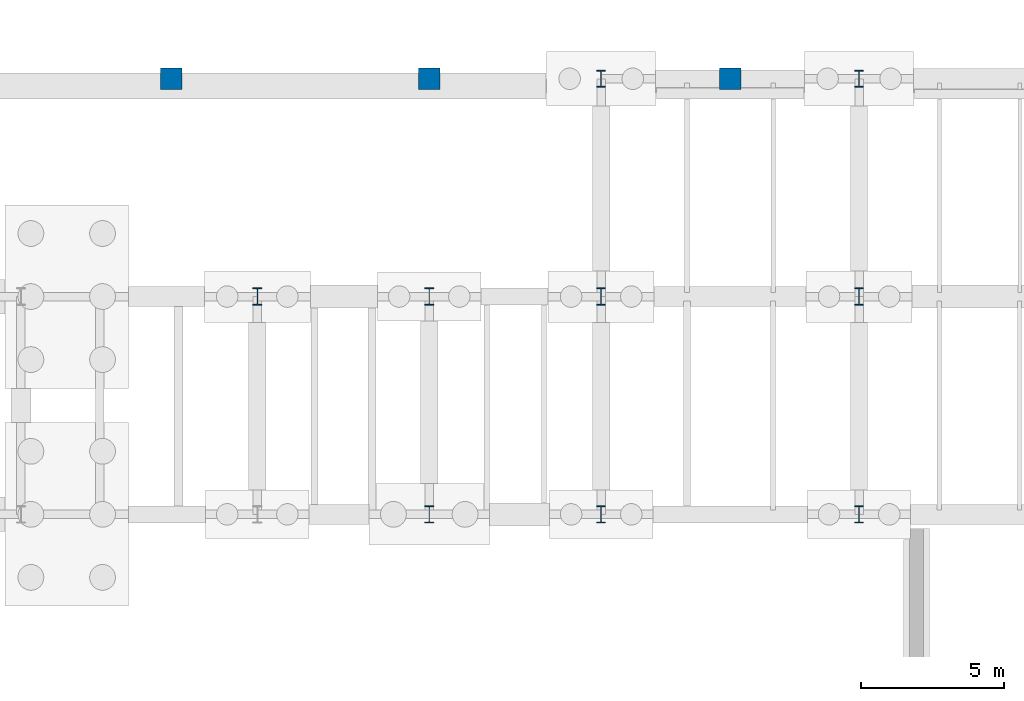
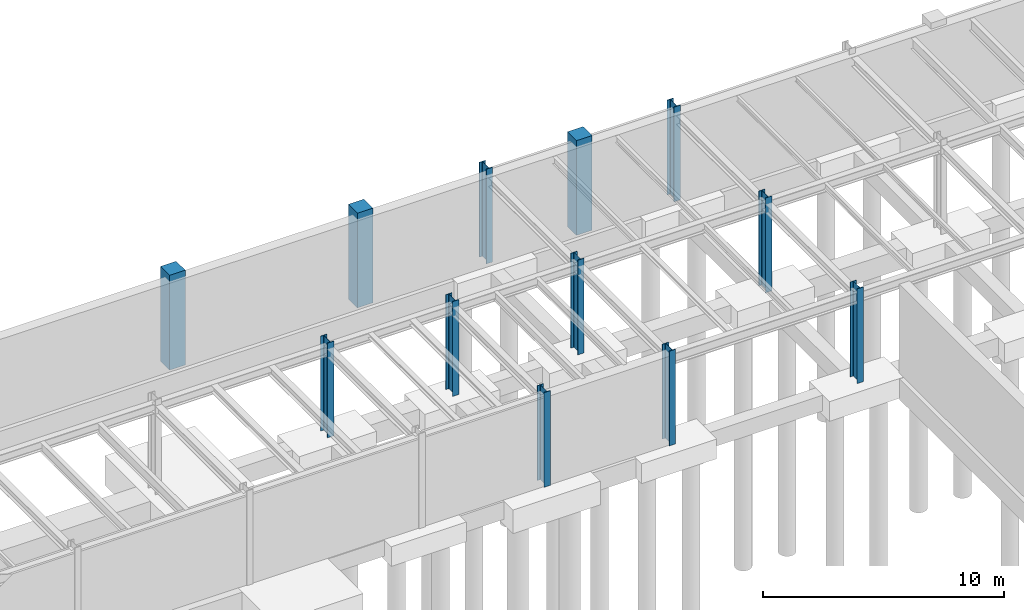
# One storey, part 25 of 59: 12 columns.
"""IFC4 building model written with IfcOpenShell, lengths in metres."""

from ifc_helpers import new_model, si_unit, direction, frame, origin, origin_2d, place, context, subcontext, project, spatial, rectangle, i_section, extrude, material, material_profile, profile_set, type_object, element, save


model = new_model("IFC4")

# Units and contexts
model_context = context("Model", 3, precision=1e-05, world=origin(), true_north=direction((0.0, 1.0)))
body_context = subcontext(model_context, "Body", "Model", "MODEL_VIEW")
ifc_project = project(units=[si_unit("LENGTHUNIT", "METRE"), si_unit("AREAUNIT", "SQUARE_METRE"), si_unit("VOLUMEUNIT", "CUBIC_METRE"), si_unit("PLANEANGLEUNIT", "RADIAN"), si_unit("MASSUNIT", "GRAM", prefix="KILO")], contexts=[model_context])

# Site, building, storey
site_placement = place(None, origin())
site = spatial("IfcSite", under=ifc_project, at=site_placement, CompositionType="ELEMENT")
building_placement = place(site_placement, origin())
building = spatial("IfcBuilding", under=site, at=building_placement, Name="Montealbar Specialist Clinic", CompositionType="ELEMENT")
storey_placement = place(building_placement, frame((0.0, 0.0, -4.800048828125)))
storey = spatial("IfcBuildingStorey", under=building, at=storey_placement, Name="B01", CompositionType="ELEMENT", Elevation=-4.800048828125)

# Columns
ifc_material_1 = material(Name="Steel S355", Category="steel")
ifc_material_profile_1 = material_profile(ifc_material_1, i_section(OverallWidth=0.300048828125, OverallDepth=0.60009765625, WebThickness=0.015380859375, FlangeThickness=0.030029296875, FilletRadius=0.027099609375, at=origin_2d()), Name="HEB 600", Category="steel")
ifc_profile_set_1 = profile_set([ifc_material_profile_1], Name="Steel S355")
column_type_1 = type_object("IfcColumnType", Name="COL-S-B01-STD-EXT", PredefinedType="COLUMN", material=ifc_profile_set_1)
for number, where, z_axis, x_axis, name in (
    (1, (99.0, 103.39990234375, 0.0), (0.0, 0.0, 1.0), (1.0, 0.0, 0.0), "Column 13/N B01"),
    (2, (105.0, 95.800048828125, 0.0), (0.0, 0.0, 1.0), (1.0, 0.0, 0.0), "Column 14/M B01"),
    (3, (105.0, 103.39990234375, 0.0), (0.0, 0.0, 1.0), (1.0, 0.0, 0.0), "Column 14/N B01"),
    (4, (111.0, 95.800048828125, 0.0), (0.0, 0.0, 1.0), (1.0, 0.0, 0.0), "Column 15/M B01"),
    (5, (111.0, 103.39990234375, 0.0), (0.0, 0.0, 1.0), (1.0, 0.0, 0.0), "Column 15/N B01"),
    (6, (111.0, 111.0, 0.0), (0.0, 0.0, 1.0), (1.0, 0.0, 0.0), "Column 15/P B01"),
    (7, (120.0, 95.800048828125, 0.0), (0.0, 0.0, 1.0), (1.0, 0.0, 0.0), "Column 16/M B01"),
    (8, (120.0, 103.39990234375, 0.0), (0.0, 0.0, 1.0), (1.0, 0.0, 0.0), "Column 16/N B01"),
    (9, (120.0, 111.0, 0.0), (0.0, 0.0, 1.0), (1.0, 0.0, 0.0), "Column 16/P B01"),
):
    element("IfcColumn", number, at=place(storey_placement, frame(where, z_axis=z_axis, x_axis=x_axis)), inside=storey, type_object=column_type_1, Name=name, PredefinedType="COLUMN", context=body_context, shape_type="SweptSolid", body=[
        extrude(i_section(OverallWidth=0.300048828125, OverallDepth=0.60009765625, WebThickness=0.015380859375, FlangeThickness=0.030029296875, FilletRadius=0.027099609375, at=origin_2d()), origin(), (0.0, 0.0, 1.0), 4.800048828125),
    ])
ifc_material_2 = material(Name="Guadarrama granite ashlar", Category="masonry")
ifc_material_profile_2 = material_profile(ifc_material_2, rectangle(XDim=0.75, YDim=0.75, at=origin_2d()), Name="GRANITE PILASTER 750x750", Category="masonry")
ifc_profile_set_2 = profile_set([ifc_material_profile_2], Name="Guadarrama granite ashlar")
column_type_2 = type_object("IfcColumnType", Name="PIL-PM-GIANT-INT", PredefinedType="PILASTER", material=ifc_profile_set_2)
for number, where, z_axis, x_axis, name in (
    (10, (96.0, 111.0, 0.0), (0.0, 0.0, 1.0), (1.0, 0.0, 0.0), "Column NP8/P B01"),
    (11, (105.0, 111.0, 0.0), (0.0, 0.0, 1.0), (1.0, 0.0, 0.0), "Column NP9/P B01"),
    (12, (115.5, 111.0, 0.0), (0.0, 0.0, 1.0), (1.0, 0.0, 0.0), "Column NP10/P B01"),
):
    element("IfcColumn", number, at=place(storey_placement, frame(where, z_axis=z_axis, x_axis=x_axis)), inside=storey, type_object=column_type_2, Name=name, PredefinedType="PILASTER", context=body_context, shape_type="SweptSolid", body=[
        extrude(rectangle(XDim=0.75, YDim=0.75, at=origin_2d()), origin(), (0.0, 0.0, 1.0), 4.800048828125),
    ])

save(model, "model.ifc")
